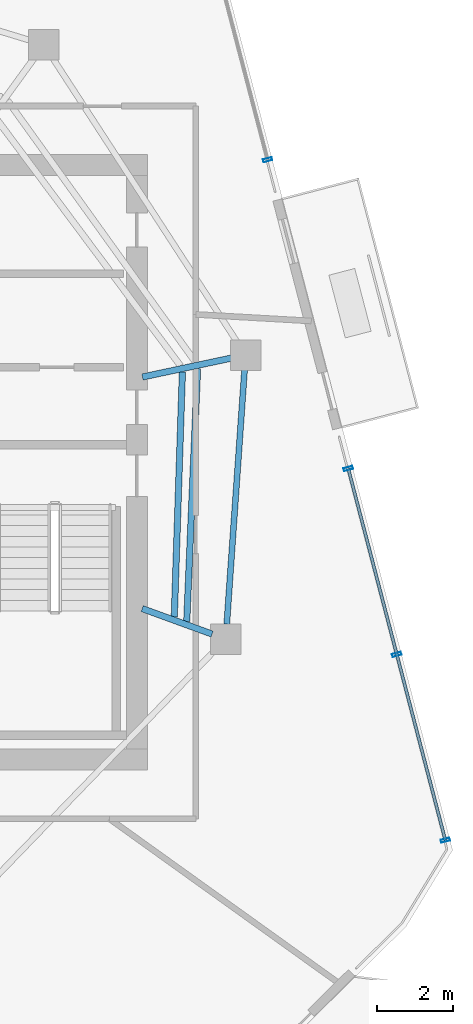
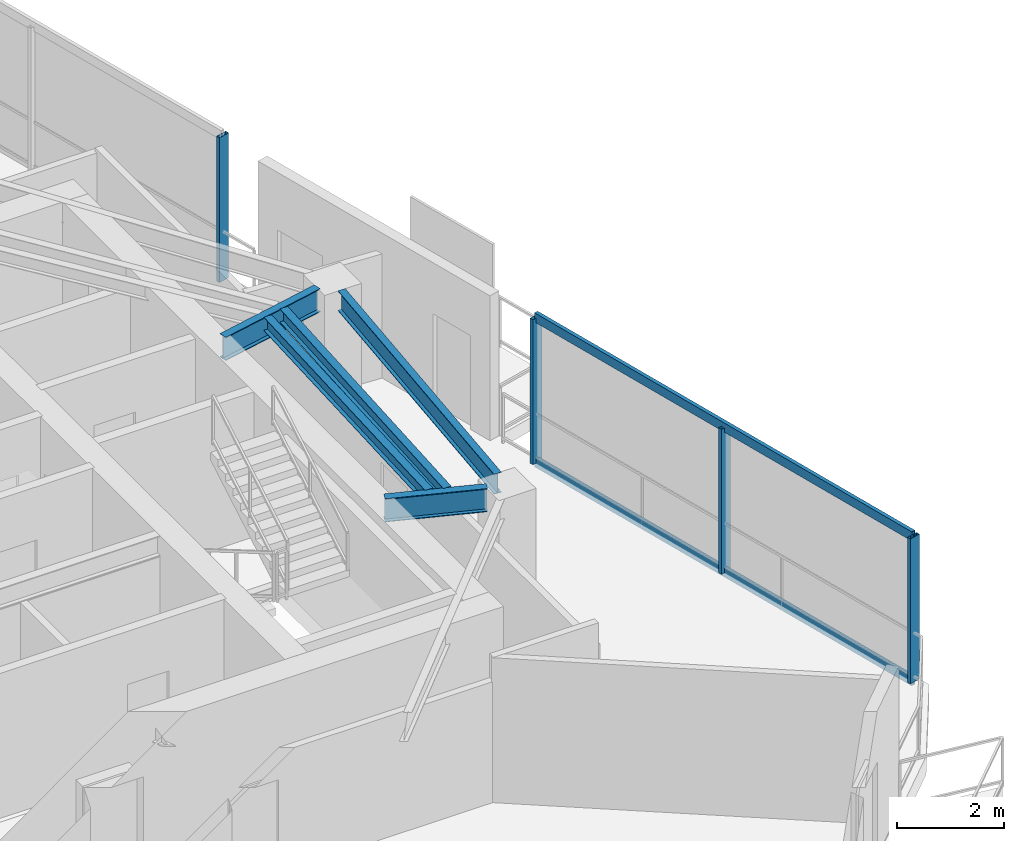
# One storey, part 11 of 19: 6 members, 5 beams, 2 elements without a shape of their own.
"""IFC4 building model written with IfcOpenShell, lengths in metres."""

from ifc_helpers import new_model, si_unit, direction, frame, origin, origin_2d, place, context, subcontext, project, spatial, hollow_rectangle, i_section, extrude, material, layer, layer_set, material_profile, profile_set, type_object, element, aggregate, save


model = new_model("IFC4")

# Units and contexts
model_context = context("Model", 3, precision=1e-05, world=origin(), true_north=direction((0.0, 1.0)))
body_context = subcontext(model_context, "Body", "Model", "MODEL_VIEW")
ifc_project = project(units=[si_unit("LENGTHUNIT", "METRE"), si_unit("AREAUNIT", "SQUARE_METRE"), si_unit("VOLUMEUNIT", "CUBIC_METRE"), si_unit("PLANEANGLEUNIT", "RADIAN"), si_unit("MASSUNIT", "GRAM", prefix="KILO")], contexts=[model_context])

# Site, building, storey
site_placement = place(None, origin())
site = spatial("IfcSite", under=ifc_project, at=site_placement, CompositionType="ELEMENT")
building_placement = place(site_placement, origin())
building = spatial("IfcBuilding", under=site, at=building_placement, Name="Qarnah Convention Tower", CompositionType="ELEMENT")
storey_placement = place(building_placement, frame((0.0, 0.0, 235.5)))
storey = spatial("IfcBuildingStorey", under=building, at=storey_placement, Name="L63", CompositionType="ELEMENT", Elevation=235.5)

# Beams
ifc_material_1 = material(Name="Structural steel S355JR", Category="steel")
ifc_material_profile_1 = material_profile(ifc_material_1, i_section(OverallWidth=0.166015625, OverallDepth=0.31201171875, WebThickness=0.007080078125, FlangeThickness=0.010986328125, at=origin_2d()), Name="W310X45")
ifc_profile_set_1 = profile_set([ifc_material_profile_1], Name="Structural steel S355JR")
beam_type_1 = type_object("IfcBeamType", Name="BM-JST-W310", PredefinedType="JOIST", material=ifc_profile_set_1)
beam_1_placement = place(storey_placement, frame((48.909912109375, 22.22998046875, 3.1640625), z_axis=(0.042822559752, 0.999082693462, 0.0), x_axis=(-0.999082693462, 0.042822559752, 0.0)))
element("IfcBeam", 1, at=beam_1_placement, inside=storey, type_object=beam_type_1, Name="L63 joist BM-L63-SJST-09", PredefinedType="JOIST", context=body_context, shape_type="SweptSolid", body=[
    extrude(i_section(OverallWidth=0.166015625, OverallDepth=0.31201171875, WebThickness=0.007080078125, FlangeThickness=0.010986328125, at=origin_2d()), origin(), (0.0, 0.0, 1.0), 6.63623046875),
])
beam_2_placement = place(storey_placement, frame((48.5830078125, 22.347900390625, 3.1640625), z_axis=(0.033106248914, 0.999451837901, 0.0), x_axis=(-0.999451837901, 0.033106248914, 0.0)))
element("IfcBeam", 2, at=beam_2_placement, inside=storey, type_object=beam_type_1, Name="L63 joist BM-L63-IJST-09", PredefinedType="JOIST", context=body_context, shape_type="SweptSolid", body=[
    extrude(i_section(OverallWidth=0.166015625, OverallDepth=0.31201171875, WebThickness=0.007080078125, FlangeThickness=0.010986328125, at=origin_2d()), origin(), (0.0, 0.0, 1.0), 6.430419921875),
])
ifc_material_profile_2 = material_profile(ifc_material_1, i_section(OverallWidth=0.166015625, OverallDepth=0.535888671875, WebThickness=0.010009765625, FlangeThickness=0.01708984375, at=origin_2d()), Name="W530X85")
ifc_profile_set_2 = profile_set([ifc_material_profile_2], Name="Structural steel S355JR")
beam_type_2 = type_object("IfcBeamType", Name="BM-RAD-W530B", PredefinedType="BEAM", material=ifc_profile_set_2)
beam_3_placement = place(storey_placement, frame((47.7470703125, 28.64111328125, 3.052001953125), z_axis=(0.978103714349, 0.20811805298, 0.0), x_axis=(-0.20811805298, 0.978103714349, 0.0)))
element("IfcBeam", 3, at=beam_3_placement, inside=storey, type_object=beam_type_2, Name="L63 beam BM-L63-RAD-01", PredefinedType="BEAM", context=body_context, shape_type="SweptSolid", body=[
    extrude(i_section(OverallWidth=0.166015625, OverallDepth=0.535888671875, WebThickness=0.010009765625, FlangeThickness=0.01708984375, at=origin_2d()), origin(), (0.0, 0.0, 1.0), 2.38720703125),
])
beam_4_placement = place(storey_placement, frame((47.740966796875, 22.56396484375, 3.052001953125), z_axis=(0.93967655832, -0.342064271363, 0.0), x_axis=(0.342064271363, 0.93967655832, 0.0)))
element("IfcBeam", 4, at=beam_4_placement, inside=storey, type_object=beam_type_2, Name="L63 beam BM-L63-RAD-09", PredefinedType="BEAM", context=body_context, shape_type="SweptSolid", body=[
    extrude(i_section(OverallWidth=0.166015625, OverallDepth=0.535888671875, WebThickness=0.010009765625, FlangeThickness=0.01708984375, at=origin_2d()), origin(), (0.0, 0.0, 1.0), 1.95263671875),
])
ifc_material_profile_3 = material_profile(ifc_material_1, i_section(OverallWidth=0.154052734375, OverallDepth=0.4599609375, WebThickness=0.009033203125, FlangeThickness=0.014892578125, at=origin_2d()), Name="W460X68")
ifc_profile_set_3 = profile_set([ifc_material_profile_3], Name="Structural steel S355JR")
beam_type_3 = type_object("IfcBeamType", Name="BM-SPN-W460B", PredefinedType="SPANDREL", material=ifc_profile_set_3)
beam_5_placement = place(storey_placement, frame((49.9599609375, 22.155029296875, 3.090087890625), z_axis=(0.069820410922, 0.997559577278, 0.0), x_axis=(-0.997559577278, 0.069820410922, 0.0)))
element("IfcBeam", 5, at=beam_5_placement, inside=storey, type_object=beam_type_3, Name="L63 spandrel BM-L63-SPN-09", PredefinedType="SPANDREL", context=body_context, shape_type="SweptSolid", body=[
    extrude(i_section(OverallWidth=0.154052734375, OverallDepth=0.4599609375, WebThickness=0.009033203125, FlangeThickness=0.014892578125, at=origin_2d()), origin(), (0.0, 0.0, 1.0), 6.689208984375),
])

# Curtain wall, member
ifc_material_2 = material(Name="Tempered Low-E dark glass", Category="glass")
ifc_layer = layer(ifc_material_2, 0.176025390625)
ifc_layer_set = layer_set([ifc_layer], Name="Tempered Low-E dark glass")
curtain_wall_type = type_object("IfcCurtainWallType", Name="CWS-05", PredefinedType="NOTDEFINED", material=ifc_layer_set)
curtain_wall_1_placement = place(storey_placement, origin())
curtain_wall_1 = element("IfcCurtainWall", 6, at=curtain_wall_1_placement, inside=storey, type_object=curtain_wall_type, Name="L63 unitised curtain wall CW-L63-F3", PredefinedType="NOTDEFINED")
ifc_material_3 = material(Name="Black anodised aluminium", Category="aluminium")
ifc_material_profile_4 = material_profile(ifc_material_3, hollow_rectangle(XDim=0.080078125, YDim=0.239990234375, WallThickness=0.0048828125, at=origin_2d()), Name="MUL-80X240")
ifc_profile_set_4 = profile_set([ifc_material_profile_4], Name="Black anodised aluminium")
member_type_1 = type_object("IfcMemberType", Name="MUL-T5", PredefinedType="MULLION", material=ifc_profile_set_4)
member_1_placement = place(storey_placement, frame((51.031005859375, 34.341064453125, 0.0), z_axis=(0.0, 0.0, 1.0), x_axis=(0.252724823832, -0.967538197395, 0.0)))
member_1 = element("IfcMember", 7, at=member_1_placement, type_object=member_type_1, Name="CW-L63-F3 mullion 3", PredefinedType="MULLION", context=body_context, shape_type="SweptSolid", body=[
    extrude(hollow_rectangle(XDim=0.080078125, YDim=0.239990234375, WallThickness=0.0048828125, at=origin_2d()), origin(), (0.0, 0.0, 1.0), 3.320068359375),
])
aggregate(curtain_wall_1, [member_1])

# Curtain wall, members
curtain_wall_2_placement = place(storey_placement, origin())
curtain_wall_2 = element("IfcCurtainWall", 8, at=curtain_wall_2_placement, inside=storey, type_object=curtain_wall_type, Name="L63 unitised curtain wall CW-L63-F4", PredefinedType="NOTDEFINED")
member_2_placement = place(storey_placement, frame((53.14794921875, 26.238037109375, 0.0), z_axis=(0.0, 0.0, 1.0), x_axis=(0.252724823832, -0.967538197395, 0.0)))
member_2 = element("IfcMember", 9, at=member_2_placement, type_object=member_type_1, Name="CW-L63-F4 mullion 1", PredefinedType="MULLION", context=body_context, shape_type="SweptSolid", body=[
    extrude(hollow_rectangle(XDim=0.080078125, YDim=0.239990234375, WallThickness=0.0048828125, at=origin_2d()), origin(), (0.0, 0.0, 1.0), 3.320068359375),
])
member_3_placement = place(storey_placement, frame((54.42138671875, 21.362548828125, 0.0), z_axis=(0.0, 0.0, 1.0), x_axis=(0.252724823832, -0.967538197395, 0.0)))
member_3 = element("IfcMember", 10, at=member_3_placement, type_object=member_type_1, Name="CW-L63-F4 mullion 2", PredefinedType="MULLION", context=body_context, shape_type="SweptSolid", body=[
    extrude(hollow_rectangle(XDim=0.080078125, YDim=0.239990234375, WallThickness=0.0048828125, at=origin_2d()), origin(), (0.0, 0.0, 1.0), 3.320068359375),
])
member_4_placement = place(storey_placement, frame((55.695068359375, 16.487060546875, 0.0), z_axis=(0.0, 0.0, 1.0), x_axis=(0.252724823832, -0.967538197395, 0.0)))
member_4 = element("IfcMember", 11, at=member_4_placement, type_object=member_type_1, Name="CW-L63-F4 mullion 3", PredefinedType="MULLION", context=body_context, shape_type="SweptSolid", body=[
    extrude(hollow_rectangle(XDim=0.080078125, YDim=0.239990234375, WallThickness=0.0048828125, at=origin_2d()), origin(), (0.0, 0.0, 1.0), 3.320068359375),
])
ifc_material_profile_5 = material_profile(ifc_material_3, hollow_rectangle(XDim=0.080078125, YDim=0.2099609375, WallThickness=0.0048828125, at=origin_2d()), Name="TRN-80X210")
ifc_profile_set_5 = profile_set([ifc_material_profile_5], Name="Black anodised aluminium")
member_type_2 = type_object("IfcMemberType", Name="TRN-T5", PredefinedType="USERDEFINED", material=ifc_profile_set_5)
member_5_placement = place(storey_placement, frame((53.14794921875, 26.238037109375, 0.0), z_axis=(0.252736462111, -0.967535157356, 0.0), x_axis=(0.967535157356, 0.252736462111, 0.0)))
member_5 = element("IfcMember", 12, at=member_5_placement, type_object=member_type_2, Name="CW-L63-F4 transom 1", ObjectType="TRANSOM", PredefinedType="USERDEFINED", context=body_context, shape_type="SweptSolid", body=[
    extrude(hollow_rectangle(XDim=0.080078125, YDim=0.2099609375, WallThickness=0.0048828125, at=origin_2d()), origin(), (0.0, 0.0, 1.0), 10.078125),
])
member_6_placement = place(storey_placement, frame((53.14794921875, 26.238037109375, 3.320068359375), z_axis=(0.252736462111, -0.967535157356, 0.0), x_axis=(0.967535157356, 0.252736462111, 0.0)))
member_6 = element("IfcMember", 13, at=member_6_placement, type_object=member_type_2, Name="CW-L63-F4 transom 2", ObjectType="TRANSOM", PredefinedType="USERDEFINED", context=body_context, shape_type="SweptSolid", body=[
    extrude(hollow_rectangle(XDim=0.080078125, YDim=0.2099609375, WallThickness=0.0048828125, at=origin_2d()), origin(), (0.0, 0.0, 1.0), 10.078125),
])
aggregate(curtain_wall_2, [member_2, member_3, member_4, member_5, member_6])

save(model, "model.ifc")
